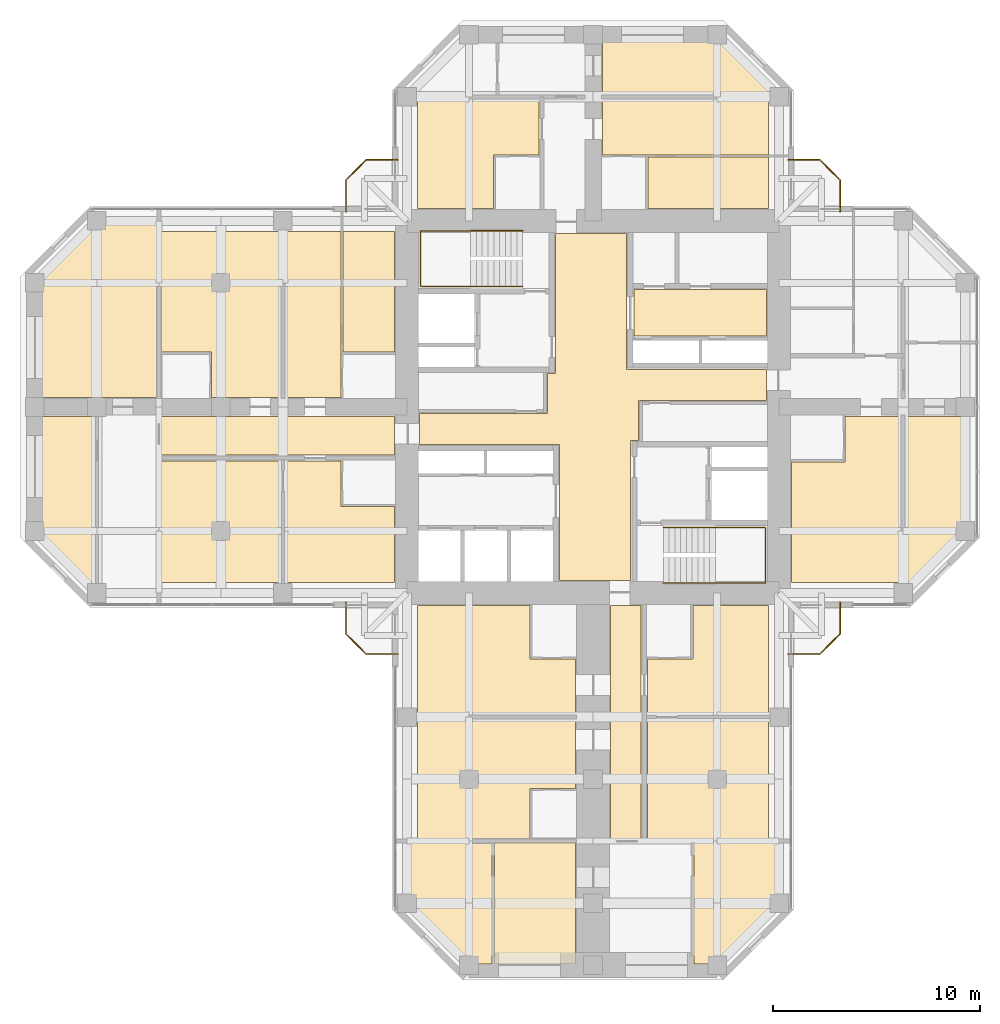
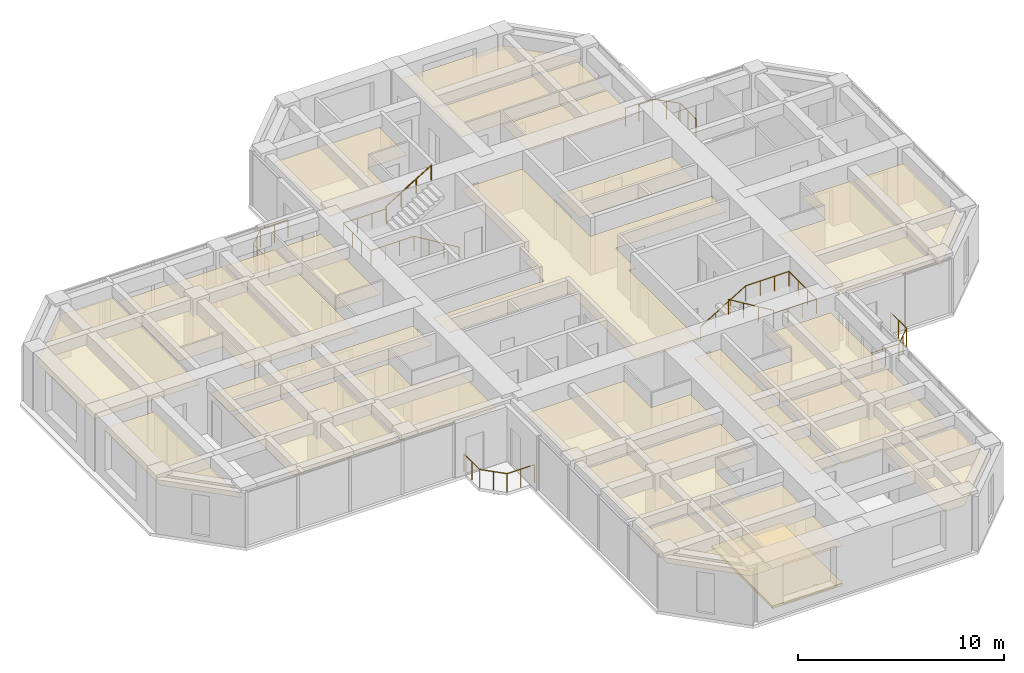
# One storey, part 14 of 14: 25 coverings, 8 railings.
"""IFC4 building model written with IfcOpenShell, lengths in metres."""

from ifc_helpers import new_model, si_unit, direction, frame, origin, origin_2d, place, context, subcontext, project, spatial, polyline, circle, outline, extrude, material, layer, layer_set, constituent, constituent_set, type_object, element, save


model = new_model("IFC4")

# Units and contexts
model_context = context("Model", 3, precision=1e-05, world=origin(), true_north=direction((0.0, 1.0)))
body_context = subcontext(model_context, "Body", "Model", "MODEL_VIEW")
ifc_project = project(units=[si_unit("LENGTHUNIT", "METRE"), si_unit("AREAUNIT", "SQUARE_METRE"), si_unit("VOLUMEUNIT", "CUBIC_METRE"), si_unit("PLANEANGLEUNIT", "RADIAN"), si_unit("MASSUNIT", "GRAM", prefix="KILO")], contexts=[model_context])

# Site, building, storey
site_placement = place(None, origin())
site = spatial("IfcSite", under=ifc_project, at=site_placement, CompositionType="ELEMENT")
building_placement = place(site_placement, origin())
building = spatial("IfcBuilding", under=site, at=building_placement, Name="Torre Cruceta", CompositionType="ELEMENT")
storey_placement = place(building_placement, frame((0.0, 0.0, 203.5)))
storey = spatial("IfcBuildingStorey", under=building, at=storey_placement, Name="L51", CompositionType="ELEMENT", Elevation=203.5)

# Railings
ifc_material_1 = material(Name="Stainless steel 1.4401", Category="steel")
ifc_constituent_1 = constituent(ifc_material_1, Name="Frame")
ifc_material_2 = material(Name="Laminated safety glass", Category="glass")
ifc_constituent_2 = constituent(ifc_material_2, Name="Infill")
ifc_constituent_set_1 = constituent_set(constituents=[ifc_constituent_1, ifc_constituent_2], Name="Stainless steel and laminated glass balustrade")
railing_type_1 = type_object("IfcRailingType", Name="BALCONY BALUSTRADE 1100", PredefinedType="BALUSTRADE", material=ifc_constituent_set_1)
railing_1_placement = place(storey_placement, frame((-9.449951171875, 11.949951171875, 0.0)))
element("IfcRailing", 1, at=railing_1_placement, inside=storey, type_object=railing_type_1, Name="BL1 balcony balustrade L51 N", PredefinedType="BALUSTRADE", context=body_context, shape_type="SweptSolid", body=[
    extrude(circle(Radius=0.02392578125, at=origin_2d()), frame((0.0, 0.0, 1.076171875), z_axis=(-1.0, 0.0, 0.0), x_axis=(0.0, -1.0, 0.0)), (0.0, 0.0, 1.0), 1.529296875),
    extrude(circle(Radius=0.02392578125, at=origin_2d()), frame((-1.529296875, 0.0, 1.076171875), z_axis=(-0.707106781187, -0.707106781187, 0.0), x_axis=(0.707106781187, -0.707106781187, 0.0)), (0.0, 0.0, 1.0), 1.372802734375),
    extrude(circle(Radius=0.02392578125, at=origin_2d()), frame((-2.5, -0.970703125, 1.076171875), z_axis=(0.0, -1.0, 0.0), x_axis=(1.0, 0.0, 0.0)), (0.0, 0.0, 1.0), 1.529296875),
    extrude(circle(Radius=0.02099609375, at=origin_2d()), origin(), (0.0, 0.0, 1.0), 1.052001953125),
    extrude(circle(Radius=0.02099609375, at=origin_2d()), frame((-0.7646484375, 0.0, 0.0)), (0.0, 0.0, 1.0), 1.052001953125),
    extrude(circle(Radius=0.02099609375, at=origin_2d()), frame((-1.529296875, 0.0, 0.0)), (0.0, 0.0, 1.0), 1.052001953125),
    extrude(circle(Radius=0.02099609375, at=origin_2d()), frame((-2.0146484375, -0.4853515625, 0.0)), (0.0, 0.0, 1.0), 1.052001953125),
    extrude(circle(Radius=0.02099609375, at=origin_2d()), frame((-2.5, -0.970703125, 0.0)), (0.0, 0.0, 1.0), 1.052001953125),
    extrude(circle(Radius=0.02099609375, at=origin_2d()), frame((-2.5, -1.7353515625, 0.0)), (0.0, 0.0, 1.0), 1.052001953125),
    extrude(circle(Radius=0.02099609375, at=origin_2d()), frame((-2.5, -2.5, 0.0)), (0.0, 0.0, 1.0), 1.052001953125),
])
railing_2_placement = place(storey_placement, frame((9.449951171875, 11.949951171875, 0.0)))
element("IfcRailing", 2, at=railing_2_placement, inside=storey, type_object=railing_type_1, Name="BL1 balcony balustrade L51 E", PredefinedType="BALUSTRADE", context=body_context, shape_type="SweptSolid", body=[
    extrude(circle(Radius=0.02392578125, at=origin_2d()), frame((0.0, 0.0, 1.076171875), z_axis=(1.0, 0.0, 0.0), x_axis=(0.0, 1.0, 0.0)), (0.0, 0.0, 1.0), 1.529296875),
    extrude(circle(Radius=0.02392578125, at=origin_2d()), frame((1.529296875, 0.0, 1.076171875), z_axis=(0.707106781187, -0.707106781187, 0.0), x_axis=(0.707106781187, 0.707106781187, 0.0)), (0.0, 0.0, 1.0), 1.372802734375),
    extrude(circle(Radius=0.02392578125, at=origin_2d()), frame((2.5, -0.970703125, 1.076171875), z_axis=(0.0, -1.0, 0.0), x_axis=(1.0, 0.0, 0.0)), (0.0, 0.0, 1.0), 1.529296875),
    extrude(circle(Radius=0.02099609375, at=origin_2d()), origin(), (0.0, 0.0, 1.0), 1.052001953125),
    extrude(circle(Radius=0.02099609375, at=origin_2d()), frame((0.7646484375, 0.0, 0.0)), (0.0, 0.0, 1.0), 1.052001953125),
    extrude(circle(Radius=0.02099609375, at=origin_2d()), frame((1.529296875, 0.0, 0.0)), (0.0, 0.0, 1.0), 1.052001953125),
    extrude(circle(Radius=0.02099609375, at=origin_2d()), frame((2.0146484375, -0.4853515625, 0.0)), (0.0, 0.0, 1.0), 1.052001953125),
    extrude(circle(Radius=0.02099609375, at=origin_2d()), frame((2.5, -0.970703125, 0.0)), (0.0, 0.0, 1.0), 1.052001953125),
    extrude(circle(Radius=0.02099609375, at=origin_2d()), frame((2.5, -1.7353515625, 0.0)), (0.0, 0.0, 1.0), 1.052001953125),
    extrude(circle(Radius=0.02099609375, at=origin_2d()), frame((2.5, -2.5, 0.0)), (0.0, 0.0, 1.0), 1.052001953125),
])
railing_3_placement = place(storey_placement, frame((9.449951171875, -11.949951171875, 0.0)))
element("IfcRailing", 3, at=railing_3_placement, inside=storey, type_object=railing_type_1, Name="BL1 balcony balustrade L51 S", PredefinedType="BALUSTRADE", context=body_context, shape_type="SweptSolid", body=[
    extrude(circle(Radius=0.02392578125, at=origin_2d()), frame((0.0, 0.0, 1.076171875), z_axis=(1.0, 0.0, 0.0), x_axis=(0.0, 1.0, 0.0)), (0.0, 0.0, 1.0), 1.529296875),
    extrude(circle(Radius=0.02392578125, at=origin_2d()), frame((1.529296875, 0.0, 1.076171875), z_axis=(0.707106781187, 0.707106781187, 0.0), x_axis=(-0.707106781187, 0.707106781187, 0.0)), (0.0, 0.0, 1.0), 1.372802734375),
    extrude(circle(Radius=0.02392578125, at=origin_2d()), frame((2.5, 0.970703125, 1.076171875), z_axis=(0.0, 1.0, 0.0), x_axis=(-1.0, 0.0, 0.0)), (0.0, 0.0, 1.0), 1.529296875),
    extrude(circle(Radius=0.02099609375, at=origin_2d()), origin(), (0.0, 0.0, 1.0), 1.052001953125),
    extrude(circle(Radius=0.02099609375, at=origin_2d()), frame((0.7646484375, 0.0, 0.0)), (0.0, 0.0, 1.0), 1.052001953125),
    extrude(circle(Radius=0.02099609375, at=origin_2d()), frame((1.529296875, 0.0, 0.0)), (0.0, 0.0, 1.0), 1.052001953125),
    extrude(circle(Radius=0.02099609375, at=origin_2d()), frame((2.0146484375, 0.4853515625, 0.0)), (0.0, 0.0, 1.0), 1.052001953125),
    extrude(circle(Radius=0.02099609375, at=origin_2d()), frame((2.5, 0.970703125, 0.0)), (0.0, 0.0, 1.0), 1.052001953125),
    extrude(circle(Radius=0.02099609375, at=origin_2d()), frame((2.5, 1.7353515625, 0.0)), (0.0, 0.0, 1.0), 1.052001953125),
    extrude(circle(Radius=0.02099609375, at=origin_2d()), frame((2.5, 2.5, 0.0)), (0.0, 0.0, 1.0), 1.052001953125),
])
railing_4_placement = place(storey_placement, frame((-9.449951171875, -11.949951171875, 0.0)))
element("IfcRailing", 4, at=railing_4_placement, inside=storey, type_object=railing_type_1, Name="BL1 balcony balustrade L51 W", PredefinedType="BALUSTRADE", context=body_context, shape_type="SweptSolid", body=[
    extrude(circle(Radius=0.02392578125, at=origin_2d()), frame((0.0, 0.0, 1.076171875), z_axis=(-1.0, 0.0, 0.0), x_axis=(0.0, -1.0, 0.0)), (0.0, 0.0, 1.0), 1.529296875),
    extrude(circle(Radius=0.02392578125, at=origin_2d()), frame((-1.529296875, 0.0, 1.076171875), z_axis=(-0.707106781187, 0.707106781187, 0.0), x_axis=(-0.707106781187, -0.707106781187, 0.0)), (0.0, 0.0, 1.0), 1.372802734375),
    extrude(circle(Radius=0.02392578125, at=origin_2d()), frame((-2.5, 0.970703125, 1.076171875), z_axis=(0.0, 1.0, 0.0), x_axis=(-1.0, 0.0, 0.0)), (0.0, 0.0, 1.0), 1.529296875),
    extrude(circle(Radius=0.02099609375, at=origin_2d()), origin(), (0.0, 0.0, 1.0), 1.052001953125),
    extrude(circle(Radius=0.02099609375, at=origin_2d()), frame((-0.7646484375, 0.0, 0.0)), (0.0, 0.0, 1.0), 1.052001953125),
    extrude(circle(Radius=0.02099609375, at=origin_2d()), frame((-1.529296875, 0.0, 0.0)), (0.0, 0.0, 1.0), 1.052001953125),
    extrude(circle(Radius=0.02099609375, at=origin_2d()), frame((-2.0146484375, 0.4853515625, 0.0)), (0.0, 0.0, 1.0), 1.052001953125),
    extrude(circle(Radius=0.02099609375, at=origin_2d()), frame((-2.5, 0.970703125, 0.0)), (0.0, 0.0, 1.0), 1.052001953125),
    extrude(circle(Radius=0.02099609375, at=origin_2d()), frame((-2.5, 1.7353515625, 0.0)), (0.0, 0.0, 1.0), 1.052001953125),
    extrude(circle(Radius=0.02099609375, at=origin_2d()), frame((-2.5, 2.5, 0.0)), (0.0, 0.0, 1.0), 1.052001953125),
])
ifc_material_3 = material(Name="Stainless steel 1.4401", Category="steel")
railing_type_2 = type_object("IfcRailingType", Name="HANDRAIL 900", PredefinedType="HANDRAIL", material=ifc_material_3)
railing_5_placement = place(storey_placement, frame((-3.39990234375, 5.8349609375, 0.169921875)))
element("IfcRailing", 5, at=railing_5_placement, inside=storey, type_object=railing_type_2, Name="Handrail HR1 ST1 L51", PredefinedType="HANDRAIL", context=body_context, shape_type="SweptSolid", body=[
    extrude(circle(Radius=0.02392578125, at=origin_2d()), frame((0.0, 0.0, 0.8759765625), z_axis=(-0.85478489116, 0.0, 0.518982456201), x_axis=(0.0, -1.0, 0.0)), (0.0, 0.0, 1.0), 2.9482421875),
    extrude(circle(Radius=0.02392578125, at=origin_2d()), frame((-2.52001953125, 0.0, 2.40576171875), z_axis=(-1.0, 0.0, 0.0), x_axis=(0.0, -1.0, 0.0)), (0.0, 0.0, 1.0), 2.420166015625),
    extrude(circle(Radius=0.02392578125, at=origin_2d()), frame((-4.940185546875, 0.0, 2.40576171875), z_axis=(0.0, 1.0, 0.0), x_axis=(-1.0, 0.0, 0.0)), (0.0, 0.0, 1.0), 2.679931640625),
    extrude(circle(Radius=0.02392578125, at=origin_2d()), frame((-4.940185546875, 2.679931640625, 2.40576171875), z_axis=(1.0, 0.0, 0.0), x_axis=(0.0, 1.0, 0.0)), (0.0, 0.0, 1.0), 2.420166015625),
    extrude(circle(Radius=0.02099609375, at=origin_2d()), origin(), (0.0, 0.0, 1.0), 0.851806640625),
    extrude(circle(Radius=0.02099609375, at=origin_2d()), frame((-0.840087890625, 0.0, 0.510009765625)), (0.0, 0.0, 1.0), 0.851806640625),
    extrude(circle(Radius=0.02099609375, at=origin_2d()), frame((-1.679931640625, 0.0, 1.02001953125)), (0.0, 0.0, 1.0), 0.851806640625),
    extrude(circle(Radius=0.02099609375, at=origin_2d()), frame((-2.52001953125, 0.0, 1.530029296875)), (0.0, 0.0, 1.0), 0.851806640625),
    extrude(circle(Radius=0.02099609375, at=origin_2d()), frame((-3.32666015625, 0.0, 1.530029296875)), (0.0, 0.0, 1.0), 0.851806640625),
    extrude(circle(Radius=0.02099609375, at=origin_2d()), frame((-4.133544921875, 0.0, 1.530029296875)), (0.0, 0.0, 1.0), 0.851806640625),
    extrude(circle(Radius=0.02099609375, at=origin_2d()), frame((-4.940185546875, 0.0, 1.530029296875)), (0.0, 0.0, 1.0), 0.851806640625),
    extrude(circle(Radius=0.02099609375, at=origin_2d()), frame((-4.940185546875, 0.893310546875, 1.530029296875)), (0.0, 0.0, 1.0), 0.851806640625),
    extrude(circle(Radius=0.02099609375, at=origin_2d()), frame((-4.940185546875, 1.78662109375, 1.530029296875)), (0.0, 0.0, 1.0), 0.851806640625),
    extrude(circle(Radius=0.02099609375, at=origin_2d()), frame((-4.940185546875, 2.679931640625, 1.530029296875)), (0.0, 0.0, 1.0), 0.851806640625),
    extrude(circle(Radius=0.02099609375, at=origin_2d()), frame((-4.133544921875, 2.679931640625, 1.530029296875)), (0.0, 0.0, 1.0), 0.851806640625),
    extrude(circle(Radius=0.02099609375, at=origin_2d()), frame((-3.32666015625, 2.679931640625, 1.530029296875)), (0.0, 0.0, 1.0), 0.851806640625),
    extrude(circle(Radius=0.02099609375, at=origin_2d()), frame((-2.52001953125, 2.679931640625, 1.530029296875)), (0.0, 0.0, 1.0), 0.851806640625),
])
railing_6_placement = place(storey_placement, frame((-5.919921875, 8.514892578125, 1.8701171875)))
element("IfcRailing", 6, at=railing_6_placement, inside=storey, type_object=railing_type_2, Name="Handrail HR1 ST1 L51", PredefinedType="HANDRAIL", context=body_context, shape_type="SweptSolid", body=[
    extrude(circle(Radius=0.02392578125, at=origin_2d()), frame((0.0, 0.0, 0.8759765625), z_axis=(0.854821627497, 0.0, 0.518921945155), x_axis=(0.0, 1.0, 0.0)), (0.0, 0.0, 1.0), 2.947998046875),
    extrude(circle(Radius=0.02099609375, at=origin_2d()), origin(), (0.0, 0.0, 1.0), 0.851806640625),
    extrude(circle(Radius=0.02099609375, at=origin_2d()), frame((0.840087890625, 0.0, 0.510009765625)), (0.0, 0.0, 1.0), 0.851806640625),
    extrude(circle(Radius=0.02099609375, at=origin_2d()), frame((1.679931640625, 0.0, 1.019775390625)), (0.0, 0.0, 1.0), 0.851806640625),
    extrude(circle(Radius=0.02099609375, at=origin_2d()), frame((2.52001953125, 0.0, 1.52978515625)), (0.0, 0.0, 1.0), 0.851806640625),
])
railing_7_placement = place(storey_placement, frame((3.39990234375, -5.8349609375, 0.169921875)))
element("IfcRailing", 7, at=railing_7_placement, inside=storey, type_object=railing_type_2, Name="Handrail HR1 ST2 L51", PredefinedType="HANDRAIL", context=body_context, shape_type="SweptSolid", body=[
    extrude(circle(Radius=0.02392578125, at=origin_2d()), frame((0.0, 0.0, 0.8759765625), z_axis=(0.85478489116, 0.0, 0.518982456201), x_axis=(0.0, 1.0, 0.0)), (0.0, 0.0, 1.0), 2.9482421875),
    extrude(circle(Radius=0.02392578125, at=origin_2d()), frame((2.52001953125, 0.0, 2.40576171875), z_axis=(1.0, 0.0, 0.0), x_axis=(0.0, 1.0, 0.0)), (0.0, 0.0, 1.0), 2.420166015625),
    extrude(circle(Radius=0.02392578125, at=origin_2d()), frame((4.940185546875, 0.0, 2.40576171875), z_axis=(0.0, -1.0, 0.0), x_axis=(1.0, 0.0, 0.0)), (0.0, 0.0, 1.0), 2.679931640625),
    extrude(circle(Radius=0.02392578125, at=origin_2d()), frame((4.940185546875, -2.679931640625, 2.40576171875), z_axis=(-1.0, 0.0, 0.0), x_axis=(0.0, -1.0, 0.0)), (0.0, 0.0, 1.0), 2.420166015625),
    extrude(circle(Radius=0.02099609375, at=origin_2d()), origin(), (0.0, 0.0, 1.0), 0.851806640625),
    extrude(circle(Radius=0.02099609375, at=origin_2d()), frame((0.840087890625, 0.0, 0.510009765625)), (0.0, 0.0, 1.0), 0.851806640625),
    extrude(circle(Radius=0.02099609375, at=origin_2d()), frame((1.679931640625, 0.0, 1.02001953125)), (0.0, 0.0, 1.0), 0.851806640625),
    extrude(circle(Radius=0.02099609375, at=origin_2d()), frame((2.52001953125, 0.0, 1.530029296875)), (0.0, 0.0, 1.0), 0.851806640625),
    extrude(circle(Radius=0.02099609375, at=origin_2d()), frame((3.32666015625, 0.0, 1.530029296875)), (0.0, 0.0, 1.0), 0.851806640625),
    extrude(circle(Radius=0.02099609375, at=origin_2d()), frame((4.133544921875, 0.0, 1.530029296875)), (0.0, 0.0, 1.0), 0.851806640625),
    extrude(circle(Radius=0.02099609375, at=origin_2d()), frame((4.940185546875, 0.0, 1.530029296875)), (0.0, 0.0, 1.0), 0.851806640625),
    extrude(circle(Radius=0.02099609375, at=origin_2d()), frame((4.940185546875, -0.893310546875, 1.530029296875)), (0.0, 0.0, 1.0), 0.851806640625),
    extrude(circle(Radius=0.02099609375, at=origin_2d()), frame((4.940185546875, -1.78662109375, 1.530029296875)), (0.0, 0.0, 1.0), 0.851806640625),
    extrude(circle(Radius=0.02099609375, at=origin_2d()), frame((4.940185546875, -2.679931640625, 1.530029296875)), (0.0, 0.0, 1.0), 0.851806640625),
    extrude(circle(Radius=0.02099609375, at=origin_2d()), frame((4.133544921875, -2.679931640625, 1.530029296875)), (0.0, 0.0, 1.0), 0.851806640625),
    extrude(circle(Radius=0.02099609375, at=origin_2d()), frame((3.32666015625, -2.679931640625, 1.530029296875)), (0.0, 0.0, 1.0), 0.851806640625),
    extrude(circle(Radius=0.02099609375, at=origin_2d()), frame((2.52001953125, -2.679931640625, 1.530029296875)), (0.0, 0.0, 1.0), 0.851806640625),
])
railing_8_placement = place(storey_placement, frame((5.919921875, -8.514892578125, 1.8701171875)))
element("IfcRailing", 8, at=railing_8_placement, inside=storey, type_object=railing_type_2, Name="Handrail HR1 ST2 L51", PredefinedType="HANDRAIL", context=body_context, shape_type="SweptSolid", body=[
    extrude(circle(Radius=0.02392578125, at=origin_2d()), frame((0.0, 0.0, 0.8759765625), z_axis=(-0.854821627497, 0.0, 0.518921945155), x_axis=(0.0, -1.0, 0.0)), (0.0, 0.0, 1.0), 2.947998046875),
    extrude(circle(Radius=0.02099609375, at=origin_2d()), origin(), (0.0, 0.0, 1.0), 0.851806640625),
    extrude(circle(Radius=0.02099609375, at=origin_2d()), frame((-0.840087890625, 0.0, 0.510009765625)), (0.0, 0.0, 1.0), 0.851806640625),
    extrude(circle(Radius=0.02099609375, at=origin_2d()), frame((-1.679931640625, 0.0, 1.019775390625)), (0.0, 0.0, 1.0), 0.851806640625),
    extrude(circle(Radius=0.02099609375, at=origin_2d()), frame((-2.52001953125, 0.0, 1.52978515625)), (0.0, 0.0, 1.0), 0.851806640625),
])

# Coverings
ifc_material_4 = material(Name="Steel DX51D", Category="steel")
ifc_constituent_3 = constituent(ifc_material_4, Name="Panel casing")
ifc_material_5 = material(Name="Calcium sulphate", Category="gypsum")
ifc_constituent_4 = constituent(ifc_material_5, Name="Panel core")
ifc_constituent_set_2 = constituent_set(constituents=[ifc_constituent_3, ifc_constituent_4], Name="Raised access floor panel")
covering_type_1 = type_object("IfcCoveringType", Name="RAISED ACCESS FLOOR 150", PredefinedType="FLOORING", material=ifc_constituent_set_2)
covering_1_placement = place(storey_placement, origin())
element("IfcCovering", 9, at=covering_1_placement, inside=storey, type_object=covering_type_1, Name="Raised floor L51-051", PredefinedType="FLOORING", context=body_context, shape_type="SweptSolid", body=[
    extrude(outline(polyline([(-4.77490234375, -26.949951171875), (-4.77490234375, -21.050048828125), (-0.85009765625, -21.050048828125), (-0.85009765625, -26.949951171875), (-4.77490234375, -26.949951171875)])), origin(), (0.0, 0.0, 1.0), 0.14990234375),
])
ifc_material_6 = material(Name="Mineral fibre ceiling tile", Category="gypsum")
ifc_layer = layer(ifc_material_6, 0.02001953125)
ifc_layer_set = layer_set([ifc_layer], Name="Mineral fibre ceiling tile")
covering_type_2 = type_object("IfcCoveringType", Name="SUSPENDED CEILING 20", PredefinedType="CEILING", material=ifc_layer_set)
covering_2_placement = place(storey_placement, frame((0.0, 0.0, 2.35009765625)))
element("IfcCovering", 10, at=covering_2_placement, inside=storey, type_object=covering_type_2, Name="Ceiling L51-003", PredefinedType="CEILING", context=body_context, shape_type="SweptSolid", body=[
    extrude(outline(polyline([(1.824951171875, -8.39990234375), (-1.625, -8.39990234375), (-1.625, -1.824951171875), (-8.39990234375, -1.824951171875), (-8.39990234375, -0.324951171875), (-2.199951171875, -0.324951171875), (-2.199951171875, 1.625), (-1.824951171875, 1.625), (-1.824951171875, 8.39990234375), (1.625, 8.39990234375), (1.625, 1.824951171875), (8.39990234375, 1.824951171875), (8.39990234375, 0.324951171875), (2.199951171875, 0.324951171875), (2.199951171875, -1.625), (1.824951171875, -1.625), (1.824951171875, -8.39990234375)])), origin(), (0.0, 0.0, 1.0), 0.02001953125),
])
covering_3_placement = place(storey_placement, frame((0.0, 0.0, 2.35009765625)))
element("IfcCovering", 11, at=covering_3_placement, inside=storey, type_object=covering_type_2, Name="Ceiling L51-006", PredefinedType="CEILING", context=body_context, shape_type="SweptSolid", body=[
    extrude(outline(polyline([(1.97509765625, 3.425048828125), (1.97509765625, 5.675048828125), (8.39990234375, 5.675048828125), (8.39990234375, 3.425048828125), (1.97509765625, 3.425048828125)])), origin(), (0.0, 0.0, 1.0), 0.02001953125),
])
covering_4_placement = place(storey_placement, frame((0.0, 0.0, 2.35009765625)))
element("IfcCovering", 12, at=covering_4_placement, inside=storey, type_object=covering_type_2, Name="Ceiling L51-024", PredefinedType="CEILING", context=body_context, shape_type="SweptSolid", body=[
    extrude(outline(polyline([(-8.5, 9.60009765625), (-8.5, 14.949951171875), (-2.625, 14.949951171875), (-2.625, 12.199951171875), (-4.824951171875, 12.199951171875), (-4.824951171875, 9.60009765625), (-8.5, 9.60009765625)])), origin(), (0.0, 0.0, 1.0), 0.02001953125),
])
covering_5_placement = place(storey_placement, frame((0.0, 0.0, 2.35009765625)))
element("IfcCovering", 13, at=covering_5_placement, inside=storey, type_object=covering_type_2, Name="Ceiling L51-026", PredefinedType="CEILING", context=body_context, shape_type="SweptSolid", body=[
    extrude(outline(polyline([(8.5, 14.949951171875), (8.5, 12.199951171875), (0.449951171875, 12.199951171875), (0.449951171875, 14.949951171875), (8.5, 14.949951171875)])), origin(), (0.0, 0.0, 1.0), 0.02001953125),
])
covering_6_placement = place(storey_placement, frame((0.0, 0.0, 2.35009765625)))
element("IfcCovering", 14, at=covering_6_placement, inside=storey, type_object=covering_type_2, Name="Ceiling L51-027", PredefinedType="CEILING", context=body_context, shape_type="SweptSolid", body=[
    extrude(outline(polyline([(8.5, 9.60009765625), (2.64990234375, 9.60009765625), (2.64990234375, 12.10009765625), (8.5, 12.10009765625), (8.5, 9.60009765625)])), origin(), (0.0, 0.0, 1.0), 0.02001953125),
])
covering_7_placement = place(storey_placement, frame((0.0, 0.0, 2.35009765625)))
element("IfcCovering", 15, at=covering_7_placement, inside=storey, type_object=covering_type_2, Name="Ceiling L51-031", PredefinedType="CEILING", context=body_context, shape_type="SweptSolid", body=[
    extrude(outline(polyline([(8.87939453125, 15.050048828125), (0.449951171875, 15.050048828125), (0.449951171875, 17.949951171875), (5.979248046875, 17.949951171875), (8.87939453125, 15.050048828125)])), origin(), (0.0, 0.0, 1.0), 0.02001953125),
])
covering_8_placement = place(storey_placement, frame((0.0, 0.0, 2.35009765625)))
element("IfcCovering", 16, at=covering_8_placement, inside=storey, type_object=covering_type_2, Name="Ceiling L51-036", PredefinedType="CEILING", context=body_context, shape_type="SweptSolid", body=[
    extrude(outline(polyline([(14.949951171875, -0.449951171875), (14.949951171875, -8.5), (9.60009765625, -8.5), (9.60009765625, -2.64990234375), (12.199951171875, -2.64990234375), (12.199951171875, -0.449951171875), (14.949951171875, -0.449951171875)])), origin(), (0.0, 0.0, 1.0), 0.02001953125),
])
covering_9_placement = place(storey_placement, frame((0.0, 0.0, 2.35009765625)))
element("IfcCovering", 17, at=covering_9_placement, inside=storey, type_object=covering_type_2, Name="Ceiling L51-040", PredefinedType="CEILING", context=body_context, shape_type="SweptSolid", body=[
    extrude(outline(polyline([(15.050048828125, -8.87939453125), (15.050048828125, -0.449951171875), (17.949951171875, -0.449951171875), (17.949951171875, -5.979248046875), (15.050048828125, -8.87939453125)])), origin(), (0.0, 0.0, 1.0), 0.02001953125),
])
covering_10_placement = place(storey_placement, frame((0.0, 0.0, 2.35009765625)))
element("IfcCovering", 18, at=covering_10_placement, inside=storey, type_object=covering_type_2, Name="Ceiling L51-041", PredefinedType="CEILING", context=body_context, shape_type="SweptSolid", body=[
    extrude(outline(polyline([(0.85009765625, -9.60009765625), (2.324951171875, -9.60009765625), (2.324951171875, -20.949951171875), (0.85009765625, -20.949951171875), (0.85009765625, -9.60009765625)])), origin(), (0.0, 0.0, 1.0), 0.02001953125),
])
covering_11_placement = place(storey_placement, frame((0.0, 0.0, 2.35009765625)))
element("IfcCovering", 19, at=covering_11_placement, inside=storey, type_object=covering_type_2, Name="Ceiling L51-042", PredefinedType="CEILING", context=body_context, shape_type="SweptSolid", body=[
    extrude(outline(polyline([(8.5, -9.60009765625), (8.5, -14.949951171875), (2.625, -14.949951171875), (2.625, -12.199951171875), (4.824951171875, -12.199951171875), (4.824951171875, -9.60009765625), (8.5, -9.60009765625)])), origin(), (0.0, 0.0, 1.0), 0.02001953125),
])
covering_12_placement = place(storey_placement, frame((0.0, 0.0, 2.35009765625)))
element("IfcCovering", 20, at=covering_12_placement, inside=storey, type_object=covering_type_2, Name="Ceiling L51-044", PredefinedType="CEILING", context=body_context, shape_type="SweptSolid", body=[
    extrude(outline(polyline([(2.625, -15.050048828125), (8.5, -15.050048828125), (8.5, -20.949951171875), (2.625, -20.949951171875), (2.625, -15.050048828125)])), origin(), (0.0, 0.0, 1.0), 0.02001953125),
])
covering_13_placement = place(storey_placement, frame((0.0, 0.0, 2.35009765625)))
element("IfcCovering", 21, at=covering_13_placement, inside=storey, type_object=covering_type_2, Name="Ceiling L51-045", PredefinedType="CEILING", context=body_context, shape_type="SweptSolid", body=[
    extrude(outline(polyline([(-0.85009765625, -14.949951171875), (-8.5, -14.949951171875), (-8.5, -9.60009765625), (-3.050048828125, -9.60009765625), (-3.050048828125, -12.199951171875), (-0.85009765625, -12.199951171875), (-0.85009765625, -14.949951171875)])), origin(), (0.0, 0.0, 1.0), 0.02001953125),
])
covering_14_placement = place(storey_placement, frame((0.0, 0.0, 2.35009765625)))
element("IfcCovering", 22, at=covering_14_placement, inside=storey, type_object=covering_type_2, Name="Ceiling L51-047", PredefinedType="CEILING", context=body_context, shape_type="SweptSolid", body=[
    extrude(outline(polyline([(-8.5, -20.949951171875), (-8.5, -15.050048828125), (-0.85009765625, -15.050048828125), (-0.85009765625, -18.449951171875), (-3.050048828125, -18.449951171875), (-3.050048828125, -20.949951171875), (-8.5, -20.949951171875)])), origin(), (0.0, 0.0, 1.0), 0.02001953125),
])
covering_15_placement = place(storey_placement, frame((0.0, 0.0, 2.35009765625)))
element("IfcCovering", 23, at=covering_15_placement, inside=storey, type_object=covering_type_2, Name="Ceiling L51-050", PredefinedType="CEILING", context=body_context, shape_type="SweptSolid", body=[
    extrude(outline(polyline([(8.949951171875, -23.979248046875), (5.979248046875, -26.949951171875), (4.875, -26.949951171875), (4.875, -21.050048828125), (8.949951171875, -21.050048828125), (8.949951171875, -23.979248046875)])), origin(), (0.0, 0.0, 1.0), 0.02001953125),
])
covering_16_placement = place(storey_placement, frame((0.0, 0.0, 2.35009765625)))
element("IfcCovering", 24, at=covering_16_placement, inside=storey, type_object=covering_type_2, Name="Ceiling L51-051", PredefinedType="CEILING", context=body_context, shape_type="SweptSolid", body=[
    extrude(outline(polyline([(-4.77490234375, -26.949951171875), (-4.77490234375, -21.050048828125), (-0.85009765625, -21.050048828125), (-0.85009765625, -26.949951171875), (-4.77490234375, -26.949951171875)])), origin(), (0.0, 0.0, 1.0), 0.02001953125),
])
covering_17_placement = place(storey_placement, frame((0.0, 0.0, 2.35009765625)))
element("IfcCovering", 25, at=covering_17_placement, inside=storey, type_object=covering_type_2, Name="Ceiling L51-052", PredefinedType="CEILING", context=body_context, shape_type="SweptSolid", body=[
    extrude(outline(polyline([(-8.949951171875, -23.979248046875), (-8.949951171875, -21.050048828125), (-4.875, -21.050048828125), (-4.875, -26.949951171875), (-5.979248046875, -26.949951171875), (-8.949951171875, -23.979248046875)])), origin(), (0.0, 0.0, 1.0), 0.02001953125),
])
covering_18_placement = place(storey_placement, frame((0.0, 0.0, 2.35009765625)))
element("IfcCovering", 26, at=covering_18_placement, inside=storey, type_object=covering_type_2, Name="Ceiling L51-053", PredefinedType="CEILING", context=body_context, shape_type="SweptSolid", body=[
    extrude(outline(polyline([(-9.60009765625, -0.449951171875), (-9.60009765625, -2.324951171875), (-20.949951171875, -2.324951171875), (-20.949951171875, -0.449951171875), (-9.60009765625, -0.449951171875)])), origin(), (0.0, 0.0, 1.0), 0.02001953125),
])
covering_19_placement = place(storey_placement, frame((0.0, 0.0, 2.35009765625)))
element("IfcCovering", 27, at=covering_19_placement, inside=storey, type_object=covering_type_2, Name="Ceiling L51-054", PredefinedType="CEILING", context=body_context, shape_type="SweptSolid", body=[
    extrude(outline(polyline([(-9.60009765625, -8.5), (-14.949951171875, -8.5), (-14.949951171875, -2.625), (-12.199951171875, -2.625), (-12.199951171875, -4.824951171875), (-9.60009765625, -4.824951171875), (-9.60009765625, -8.5)])), origin(), (0.0, 0.0, 1.0), 0.02001953125),
])
covering_20_placement = place(storey_placement, frame((0.0, 0.0, 2.35009765625)))
element("IfcCovering", 28, at=covering_20_placement, inside=storey, type_object=covering_type_2, Name="Ceiling L51-056", PredefinedType="CEILING", context=body_context, shape_type="SweptSolid", body=[
    extrude(outline(polyline([(-15.050048828125, -2.625), (-15.050048828125, -8.5), (-20.949951171875, -8.5), (-20.949951171875, -2.625), (-15.050048828125, -2.625)])), origin(), (0.0, 0.0, 1.0), 0.02001953125),
])
covering_21_placement = place(storey_placement, frame((0.0, 0.0, 2.35009765625)))
element("IfcCovering", 29, at=covering_21_placement, inside=storey, type_object=covering_type_2, Name="Ceiling L51-057", PredefinedType="CEILING", context=body_context, shape_type="SweptSolid", body=[
    extrude(outline(polyline([(-14.949951171875, 8.5), (-12.199951171875, 8.5), (-12.199951171875, 0.449951171875), (-14.949951171875, 0.449951171875), (-14.949951171875, 8.5)])), origin(), (0.0, 0.0, 1.0), 0.02001953125),
])
covering_22_placement = place(storey_placement, frame((0.0, 0.0, 2.35009765625)))
element("IfcCovering", 30, at=covering_22_placement, inside=storey, type_object=covering_type_2, Name="Ceiling L51-058", PredefinedType="CEILING", context=body_context, shape_type="SweptSolid", body=[
    extrude(outline(polyline([(-9.60009765625, 8.5), (-9.60009765625, 2.64990234375), (-12.10009765625, 2.64990234375), (-12.10009765625, 8.5), (-9.60009765625, 8.5)])), origin(), (0.0, 0.0, 1.0), 0.02001953125),
])
covering_23_placement = place(storey_placement, frame((0.0, 0.0, 2.35009765625)))
element("IfcCovering", 31, at=covering_23_placement, inside=storey, type_object=covering_type_2, Name="Ceiling L51-060", PredefinedType="CEILING", context=body_context, shape_type="SweptSolid", body=[
    extrude(outline(polyline([(-20.949951171875, 8.5), (-15.050048828125, 8.5), (-15.050048828125, 0.449951171875), (-18.449951171875, 0.449951171875), (-18.449951171875, 2.64990234375), (-20.949951171875, 2.64990234375), (-20.949951171875, 8.5)])), origin(), (0.0, 0.0, 1.0), 0.02001953125),
])
covering_24_placement = place(storey_placement, frame((0.0, 0.0, 2.35009765625)))
element("IfcCovering", 32, at=covering_24_placement, inside=storey, type_object=covering_type_2, Name="Ceiling L51-063", PredefinedType="CEILING", context=body_context, shape_type="SweptSolid", body=[
    extrude(outline(polyline([(-26.949951171875, -0.449951171875), (-24.050048828125, -0.449951171875), (-24.050048828125, -8.87939453125), (-26.949951171875, -5.979248046875), (-26.949951171875, -0.449951171875)])), origin(), (0.0, 0.0, 1.0), 0.02001953125),
])
covering_25_placement = place(storey_placement, frame((0.0, 0.0, 2.35009765625)))
element("IfcCovering", 33, at=covering_25_placement, inside=storey, type_object=covering_type_2, Name="Ceiling L51-064", PredefinedType="CEILING", context=body_context, shape_type="SweptSolid", body=[
    extrude(outline(polyline([(-23.979248046875, 8.949951171875), (-21.050048828125, 8.949951171875), (-21.050048828125, 0.449951171875), (-26.949951171875, 0.449951171875), (-26.949951171875, 5.979248046875), (-23.979248046875, 8.949951171875)])), origin(), (0.0, 0.0, 1.0), 0.02001953125),
])

save(model, "model.ifc")
